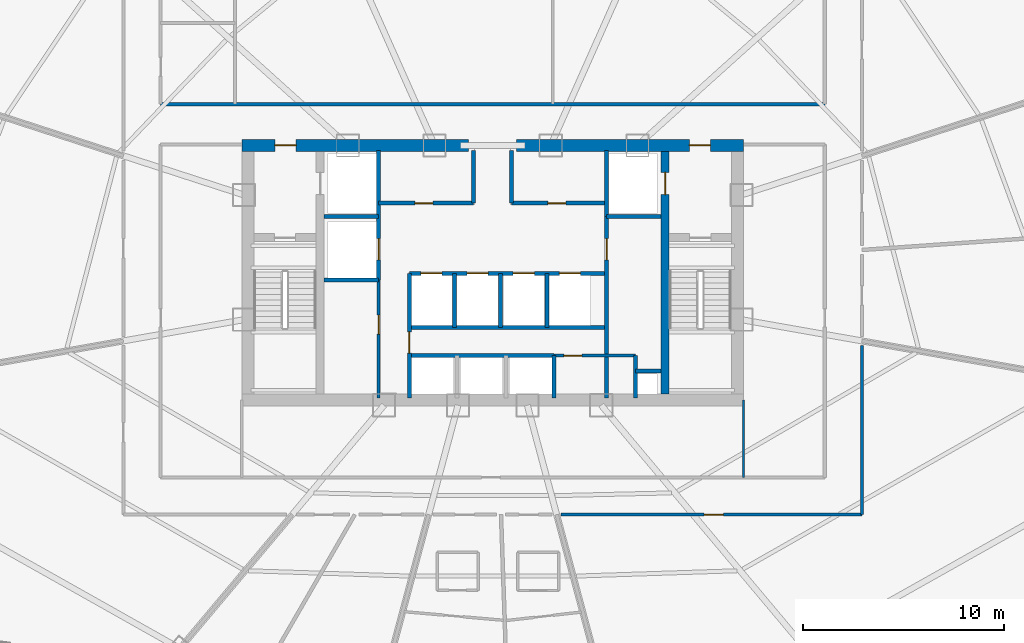
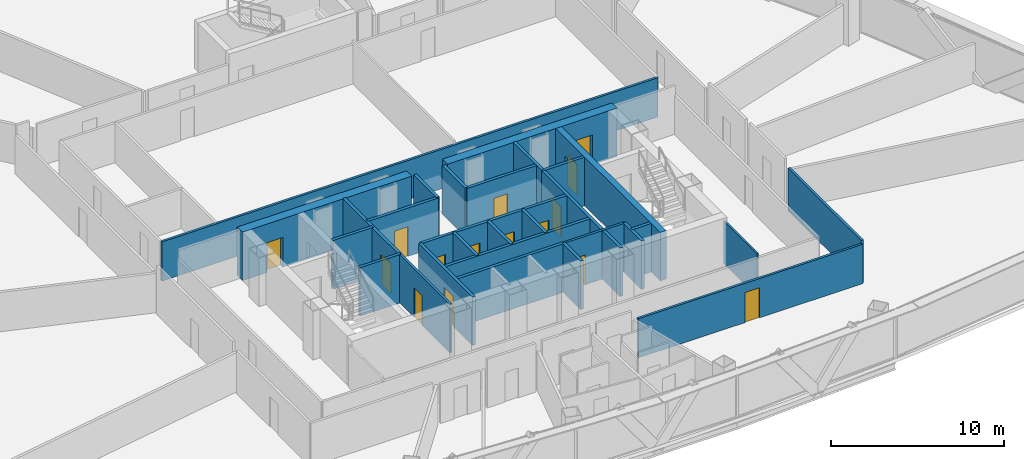
# One storey, part 33 of 39: 29 walls, 15 doors, 15 openings.
"""IFC4 building model written with IfcOpenShell, lengths in metres."""

from ifc_helpers import new_model, si_unit, direction, frame, frame_2d, origin, origin_with_axes, place, context, subcontext, project, spatial, rectangle, extrude, source, transform, mapped, material, layer, layer_set, type_object, element, fill, save


model = new_model("IFC4")

# Units and contexts
model_context = context("Model", 3, precision=1e-05, world=origin(), true_north=direction((0.0, 1.0)))
body_context = subcontext(model_context, "Body", "Model", "MODEL_VIEW")
ifc_project = project(units=[si_unit("LENGTHUNIT", "METRE"), si_unit("AREAUNIT", "SQUARE_METRE"), si_unit("VOLUMEUNIT", "CUBIC_METRE"), si_unit("PLANEANGLEUNIT", "RADIAN"), si_unit("MASSUNIT", "GRAM", prefix="KILO"), si_unit("THERMODYNAMICTEMPERATUREUNIT", "KELVIN"), si_unit("POWERUNIT", "WATT")], contexts=[model_context])

# Site, building, storey
site_placement = place(None, origin())
site = spatial("IfcSite", under=ifc_project, at=site_placement, CompositionType="ELEMENT")
building_placement = place(site_placement, origin())
building = spatial("IfcBuilding", under=site, at=building_placement, Name="Yunzhuo Pagoda Commons", CompositionType="ELEMENT")
storey_placement = place(building_placement, frame((0.0, 0.0, 166.6298828125)))
storey = spatial("IfcBuildingStorey", under=building, at=storey_placement, Name="L42", CompositionType="ELEMENT", Elevation=166.6298828125)

# Wall, opening, door
ifc_material_1 = material(Name="Concrete C60", Category="concrete")
ifc_layer_1 = layer(ifc_material_1, 0.60009765625)
ifc_layer_set_1 = layer_set([ifc_layer_1], Name="Concrete C60")
wall_type_1 = type_object("IfcWallType", Name="W-C02 Mid Core Shear Wall 600", PredefinedType="SHEAR", material=ifc_layer_set_1)
wall_1_placement = place(storey_placement, frame((35.5, 40.199951171875, 0.0), z_axis=(0.0, 0.0, 1.0), x_axis=(1.0, 0.0, 0.0)))
wall_1 = element("IfcWall", 1, at=wall_1_placement, inside=storey, type_object=wall_type_1, Name="L42 core shear wall NW", PredefinedType="SHEAR", context=body_context, shape_type="SweptSolid", body=[
    extrude(rectangle(XDim=11.300048828125, YDim=0.60009765625, at=frame_2d((5.64990234375, 0.0))), origin(), (0.0, 0.0, 1.0), 3.420166015625),
])
opening_1_placement = place(wall_1_placement, frame((1.64990234375, 0.0, 0.0)))
opening_1 = element("IfcOpeningElement", 2, at=opening_1_placement, cuts=wall_1, Name="Opening D-02", PredefinedType="OPENING", context=body_context, shape_type="SweptSolid", body=[
    extrude(rectangle(XDim=1.050048828125, YDim=2.10009765625, at=frame_2d((0.52490234375, 1.050048828125))), frame((0.0, 0.31005859375, 0.0), z_axis=(0.0, -1.0, 0.0), x_axis=(1.0, 0.0, 0.0)), (0.0, 0.0, 1.0), 0.6201171875),
])
ifc_material_2 = material(Name="Galvanized fire-resisting metal leaf")
door_type_1 = type_object("IfcDoorType", Name="D-02 Firefighting Lobby & Refuge Fire Door 1050x2100", OperationType="NOTDEFINED", PredefinedType="DOOR", material=ifc_material_2)
shared_shape_1 = source(origin(), body_context, "Body", "SweptSolid", [
    extrude(rectangle(XDim=1.050048828125, YDim=2.10009765625, at=frame_2d((0.52490234375, 1.050048828125))), frame((0.0, 0.02490234375, 0.0), z_axis=(0.0, -1.0, 0.0), x_axis=(1.0, 0.0, 0.0)), (0.0, 0.0, 1.0), 0.050048828125),
])
door_1_placement = place(opening_1_placement, frame((1.050048828125, 0.0, 0.0), z_axis=(0.0, 0.0, 1.0), x_axis=(-1.0, 0.0, 0.0)))
door_1 = element("IfcDoor", 3, at=door_1_placement, inside=storey, type_object=door_type_1, Name="L42 Firefighting Lobby 1 fire door", OperationType="SINGLE_SWING_LEFT", OverallHeight=2.10009765625, OverallWidth=1.050048828125, PredefinedType="DOOR", context=body_context, shape_type="MappedRepresentation", body=[
    mapped(shared_shape_1, transform((0.0, 0.0, 0.0), scale=1.0)),
])
fill(opening_1, door_1)

wall_2_placement = place(storey_placement, frame((49.199951171875, 40.199951171875, 0.0), z_axis=(0.0, 0.0, 1.0), x_axis=(1.0, 0.0, 0.0)))
wall_2 = element("IfcWall", 4, at=wall_2_placement, inside=storey, type_object=wall_type_1, Name="L42 core shear wall NE", PredefinedType="SHEAR", context=body_context, shape_type="SweptSolid", body=[
    extrude(rectangle(XDim=11.300048828125, YDim=0.60009765625, at=frame_2d((5.64990234375, 0.0))), origin(), (0.0, 0.0, 1.0), 3.420166015625),
])
opening_2_placement = place(wall_2_placement, frame((8.60009765625, 0.0, 0.0)))
opening_2 = element("IfcOpeningElement", 5, at=opening_2_placement, cuts=wall_2, Name="Opening D-02", PredefinedType="OPENING", context=body_context, shape_type="SweptSolid", body=[
    extrude(rectangle(XDim=1.050048828125, YDim=2.10009765625, at=frame_2d((0.52490234375, 1.050048828125))), frame((0.0, 0.31005859375, 0.0), z_axis=(0.0, -1.0, 0.0), x_axis=(1.0, 0.0, 0.0)), (0.0, 0.0, 1.0), 0.6201171875),
])
door_2_placement = place(opening_2_placement, frame((1.050048828125, 0.0, 0.0), z_axis=(0.0, 0.0, 1.0), x_axis=(-1.0, 0.0, 0.0)))
door_2 = element("IfcDoor", 6, at=door_2_placement, inside=storey, type_object=door_type_1, Name="L42 Firefighting Lobby 2 fire door", OperationType="SINGLE_SWING_RIGHT", OverallHeight=2.10009765625, OverallWidth=1.050048828125, PredefinedType="DOOR", context=body_context, shape_type="MappedRepresentation", body=[
    mapped(shared_shape_1, transform((0.0, 0.0, 0.0), scale=1.0)),
])
fill(opening_2, door_2)

ifc_material_3 = material(Name="Gypsum plasterboard on acoustic stud")
ifc_layer_2 = layer(ifc_material_3, 0.155029296875)
ifc_layer_set_2 = layer_set([ifc_layer_2], Name="Gypsum plasterboard on acoustic stud")
wall_type_2 = type_object("IfcWallType", Name="W-COR2 Mid-Zone Rated Corridor Wall 155", PredefinedType="PARTITIONING", material=ifc_layer_set_2)
wall_3_placement = place(storey_placement, frame((42.320068359375, 27.60009765625, 0.0), z_axis=(0.0, 0.0, 1.0), x_axis=(0.0, 1.0, 0.0)))
wall_3 = element("IfcWall", 7, at=wall_3_placement, inside=storey, type_object=wall_type_2, Name="L42 interior wall IW-L42-CSWE", PredefinedType="PARTITIONING", context=body_context, shape_type="SweptSolid", body=[
    extrude(rectangle(XDim=5.89990234375, YDim=0.155029296875, at=frame_2d((2.949951171875, 0.0))), origin(), (0.0, 0.0, 1.0), 3.420166015625),
])
opening_3_placement = place(wall_3_placement, frame((3.199951171875, 0.0, 0.0)))
opening_3 = element("IfcOpeningElement", 8, at=opening_3_placement, cuts=wall_3, Name="Opening D-11", PredefinedType="OPENING", context=body_context, shape_type="SweptSolid", body=[
    extrude(rectangle(XDim=0.93994140625, YDim=2.10009765625, at=frame_2d((0.469970703125, 1.050048828125))), frame((0.0, 0.08740234375, 0.0), z_axis=(0.0, -1.0, 0.0), x_axis=(1.0, 0.0, 0.0)), (0.0, 0.0, 1.0), 0.175048828125),
])
door_type_2 = type_object("IfcDoorType", Name="D-11 Accessible Washroom Fire Door 940x2100", OperationType="NOTDEFINED", PredefinedType="DOOR", material=ifc_material_2)
shared_shape_2 = source(origin(), body_context, "Body", "SweptSolid", [
    extrude(rectangle(XDim=0.93994140625, YDim=2.10009765625, at=frame_2d((0.469970703125, 1.050048828125))), frame((0.0, 0.02490234375, 0.0), z_axis=(0.0, -1.0, 0.0), x_axis=(1.0, 0.0, 0.0)), (0.0, 0.0, 1.0), 0.050048828125),
])
door_3_placement = place(opening_3_placement, origin_with_axes())
door_3 = element("IfcDoor", 9, at=door_3_placement, inside=storey, type_object=door_type_2, Name="L42 core WC door", OperationType="SINGLE_SWING_LEFT", OverallHeight=2.10009765625, OverallWidth=0.93994140625, PredefinedType="DOOR", context=body_context, shape_type="MappedRepresentation", body=[
    mapped(shared_shape_2, transform((0.0, 0.0, 0.0), scale=1.0)),
])
fill(opening_3, door_3)

wall_4_placement = place(storey_placement, frame((51.050048828125, 29.719970703125, 0.0), z_axis=(0.0, 0.0, 1.0), x_axis=(1.0, 0.0, 0.0)))
wall_4 = element("IfcWall", 10, at=wall_4_placement, inside=storey, type_object=wall_type_2, Name="L42 interior wall IW-L42-CSES", PredefinedType="PARTITIONING", context=body_context, shape_type="SweptSolid", body=[
    extrude(rectangle(XDim=4.070068359375, YDim=0.155029296875, at=frame_2d((2.03515625, 0.0))), origin(), (0.0, 0.0, 1.0), 3.420166015625),
])
opening_4_placement = place(wall_4_placement, frame((0.5, 0.0, 0.0)))
opening_4 = element("IfcOpeningElement", 11, at=opening_4_placement, cuts=wall_4, Name="Opening D-03", PredefinedType="OPENING", context=body_context, shape_type="SweptSolid", body=[
    extrude(rectangle(XDim=0.89990234375, YDim=2.10009765625, at=frame_2d((0.449951171875, 1.050048828125))), frame((0.0, 0.08740234375, 0.0), z_axis=(0.0, -1.0, 0.0), x_axis=(1.0, 0.0, 0.0)), (0.0, 0.0, 1.0), 0.175048828125),
])
door_type_3 = type_object("IfcDoorType", Name="D-03 Core Service Fire Door 900x2100", OperationType="NOTDEFINED", PredefinedType="DOOR", material=ifc_material_2)
shared_shape_3 = source(origin(), body_context, "Body", "SweptSolid", [
    extrude(rectangle(XDim=0.89990234375, YDim=2.10009765625, at=frame_2d((0.449951171875, 1.050048828125))), frame((0.0, 0.02490234375, 0.0), z_axis=(0.0, -1.0, 0.0), x_axis=(1.0, 0.0, 0.0)), (0.0, 0.0, 1.0), 0.050048828125),
])
door_4_placement = place(opening_4_placement, origin_with_axes())
door_4 = element("IfcDoor", 12, at=door_4_placement, inside=storey, type_object=door_type_3, Name="L42 cleaner store door", OperationType="SINGLE_SWING_LEFT", OverallHeight=2.10009765625, OverallWidth=0.89990234375, PredefinedType="DOOR", context=body_context, shape_type="MappedRepresentation", body=[
    mapped(shared_shape_3, transform((0.0, 0.0, 0.0), scale=1.0)),
])
fill(opening_4, door_4)

# Walls
wall_5_placement = place(storey_placement, frame((31.449951171875, 42.25, 0.0), z_axis=(0.0, 0.0, 1.0), x_axis=(1.0, 0.0, 0.0)))
element("IfcWall", 13, at=wall_5_placement, inside=storey, type_object=wall_type_2, Name="L42 interior wall IW-L42-MCNS", PredefinedType="PARTITIONING", context=body_context, shape_type="SweptSolid", body=[
    extrude(rectangle(XDim=33.10009765625, YDim=0.155029296875, at=frame_2d((16.550048828125, 0.0))), origin(), (0.0, 0.0, 1.0), 2.77001953125),
])
wall_6_placement = place(storey_placement, frame((66.39990234375, 30.232177734375, 0.0), z_axis=(0.0, 0.0, 1.0), x_axis=(0.0, -1.0, 0.0)))
element("IfcWall", 14, at=wall_6_placement, inside=storey, type_object=wall_type_2, Name="L42 interior wall IW-L42-CWL14", PredefinedType="PARTITIONING", context=body_context, shape_type="SweptSolid", body=[
    extrude(rectangle(XDim=8.43212890625, YDim=0.155029296875, at=frame_2d((4.216064453125, 0.0))), origin(), (0.0, 0.0, 1.0), 3.02001953125),
])

# Wall, opening, door
wall_7_placement = place(storey_placement, frame((66.39990234375, 21.800048828125, 0.0), z_axis=(0.0, 0.0, 1.0), x_axis=(-1.0, 0.0, 0.0)))
wall_7 = element("IfcWall", 15, at=wall_7_placement, inside=storey, type_object=wall_type_2, Name="L42 interior wall IW-L42-CWL15", PredefinedType="PARTITIONING", context=body_context, shape_type="SweptSolid", body=[
    extrude(rectangle(XDim=14.9833984375, YDim=0.155029296875, at=frame_2d((7.49169921875, 0.0))), origin(), (0.0, 0.0, 1.0), 2.77001953125),
])
opening_5_placement = place(wall_7_placement, frame((6.900634765625, 0.0, 0.0)))
opening_5 = element("IfcOpeningElement", 16, at=opening_5_placement, cuts=wall_7, Name="Opening D-07", PredefinedType="OPENING", context=body_context, shape_type="SweptSolid", body=[
    extrude(rectangle(XDim=0.9599609375, YDim=2.1201171875, at=frame_2d((0.47998046875, 1.06005859375))), frame((0.0, 0.08740234375, 0.0), z_axis=(0.0, -1.0, 0.0), x_axis=(1.0, 0.0, 0.0)), (0.0, 0.0, 1.0), 0.175048828125),
])
door_type_4 = type_object("IfcDoorType", Name="D-07 Mid-Zone Suite Entrance Fire Door 960x2120", OperationType="NOTDEFINED", PredefinedType="DOOR", material=ifc_material_2)
shared_shape_4 = source(origin(), body_context, "Body", "SweptSolid", [
    extrude(rectangle(XDim=0.9599609375, YDim=2.1201171875, at=frame_2d((0.47998046875, 1.06005859375))), frame((0.0, 0.02490234375, 0.0), z_axis=(0.0, -1.0, 0.0), x_axis=(1.0, 0.0, 0.0)), (0.0, 0.0, 1.0), 0.050048828125),
])
door_5_placement = place(opening_5_placement, origin_with_axes())
door_5 = element("IfcDoor", 17, at=door_5_placement, inside=storey, type_object=door_type_4, Name="L42 Resident Co-Living Commons Hall door", OperationType="SINGLE_SWING_LEFT", OverallHeight=2.1201171875, OverallWidth=0.9599609375, PredefinedType="DOOR", context=body_context, shape_type="MappedRepresentation", body=[
    mapped(shared_shape_4, transform((0.0, 0.0, 0.0), scale=1.0)),
])
fill(opening_5, door_5)

# Wall
ifc_layer_3 = layer(ifc_material_3, 0.1201171875)
ifc_layer_set_3 = layer_set([ifc_layer_3], Name="Gypsum plasterboard on acoustic stud")
wall_type_3 = type_object("IfcWallType", Name="W-PRT1 Suite & Bathroom Partition 120", PredefinedType="PARTITIONING", material=ifc_layer_set_3)
wall_8_placement = place(storey_placement, frame((60.5, 23.64990234375, 0.0), z_axis=(0.0, 0.0, 1.0), x_axis=(0.0, 1.0, 0.0)))
element("IfcWall", 18, at=wall_8_placement, inside=storey, type_object=wall_type_3, Name="L42 interior wall IW-L42-SFLD2", PredefinedType="PARTITIONING", context=body_context, shape_type="SweptSolid", body=[
    extrude(rectangle(XDim=3.85009765625, YDim=0.1201171875, at=frame_2d((1.925048828125, 0.0))), origin(), (0.0, 0.0, 1.0), 3.02001953125),
])

# Wall, opening, door
ifc_layer_4 = layer(ifc_material_1, 0.39990234375)
ifc_layer_set_4 = layer_set([ifc_layer_4], Name="Concrete C60")
wall_type_4 = type_object("IfcWallType", Name="W-S01 Internal Core Shear Web 400", PredefinedType="SHEAR", material=ifc_layer_set_4)
wall_9_placement = place(storey_placement, frame((56.60009765625, 27.800048828125, 0.0), z_axis=(0.0, 0.0, 1.0), x_axis=(0.0, 1.0, 0.0)))
wall_9 = element("IfcWall", 19, at=wall_9_placement, inside=storey, type_object=wall_type_4, Name="L42 core shear wall WEBE", PredefinedType="SHEAR", context=body_context, shape_type="SweptSolid", body=[
    extrude(rectangle(XDim=12.099853515625, YDim=0.39990234375, at=frame_2d((6.0498046875, 0.0))), origin(), (0.0, 0.0, 1.0), 3.420166015625),
])
opening_6_placement = place(wall_9_placement, frame((9.949951171875, 0.0, 0.0)))
opening_6 = element("IfcOpeningElement", 20, at=opening_6_placement, cuts=wall_9, Name="Opening LD-01", PredefinedType="OPENING", context=body_context, shape_type="SweptSolid", body=[
    extrude(rectangle(XDim=1.10009765625, YDim=2.10009765625, at=frame_2d((0.550048828125, 1.050048828125))), frame((0.0, 0.2099609375, 0.0), z_axis=(0.0, -1.0, 0.0), x_axis=(1.0, 0.0, 0.0)), (0.0, 0.0, 1.0), 0.419921875),
])
door_type_5 = type_object("IfcDoorType", Name="LD-01 Firefighting Lift Landing Door 1100x2100", OperationType="DOUBLE_DOOR_SLIDING", PredefinedType="DOOR", material=ifc_material_2)
shared_shape_5 = source(origin(), body_context, "Body", "SweptSolid", [
    extrude(rectangle(XDim=1.10009765625, YDim=2.10009765625, at=frame_2d((0.550048828125, 1.050048828125))), frame((0.0, 0.02490234375, 0.0), z_axis=(0.0, -1.0, 0.0), x_axis=(1.0, 0.0, 0.0)), (0.0, 0.0, 1.0), 0.050048828125),
])
door_6_placement = place(opening_6_placement, origin_with_axes())
door_6 = element("IfcDoor", 21, at=door_6_placement, inside=storey, type_object=door_type_5, Name="L42 Firefighting lift FL-2 landing door", OperationType="DOUBLE_DOOR_SLIDING", OverallHeight=2.10009765625, OverallWidth=1.10009765625, PredefinedType="DOOR", context=body_context, shape_type="MappedRepresentation", body=[
    mapped(shared_shape_5, transform((0.0, 0.0, 0.0), scale=1.0)),
])
fill(opening_6, door_6)

ifc_material_4 = material(Name="Concrete C40", Category="concrete")
ifc_layer_5 = layer(ifc_material_4, 0.199951171875)
ifc_layer_set_5 = layer_set([ifc_layer_5], Name="Concrete C40")
wall_type_5 = type_object("IfcWallType", Name="W-SHF Shaft & Stair Enclosure Wall 200", PredefinedType="SOLIDWALL", material=ifc_layer_set_5)
wall_10_placement = place(storey_placement, frame((42.320068359375, 33.5, 0.0), z_axis=(0.0, 0.0, 1.0), x_axis=(0.0, 1.0, 0.0)))
wall_10 = element("IfcWall", 22, at=wall_10_placement, inside=storey, type_object=wall_type_5, Name="L42 interior wall IW-L42-FL1E", PredefinedType="SOLIDWALL", context=body_context, shape_type="SweptSolid", body=[
    extrude(rectangle(XDim=6.449951171875, YDim=0.199951171875, at=frame_2d((3.22509765625, 0.0))), origin(), (0.0, 0.0, 1.0), 3.420166015625),
])
opening_7_placement = place(wall_10_placement, frame((1.0, 0.0, 0.0)))
opening_7 = element("IfcOpeningElement", 23, at=opening_7_placement, cuts=wall_10, Name="Opening LD-02", PredefinedType="OPENING", context=body_context, shape_type="SweptSolid", body=[
    extrude(rectangle(XDim=1.050048828125, YDim=2.10009765625, at=frame_2d((0.52490234375, 1.050048828125))), frame((0.0, 0.10986328125, 0.0), z_axis=(0.0, -1.0, 0.0), x_axis=(1.0, 0.0, 0.0)), (0.0, 0.0, 1.0), 0.219970703125),
])
door_type_6 = type_object("IfcDoorType", Name="LD-02 Passenger Lift Landing Door 1050x2100", OperationType="DOUBLE_DOOR_SLIDING", PredefinedType="DOOR", material=ifc_material_2)
door_7_placement = place(opening_7_placement, origin_with_axes())
door_7 = element("IfcDoor", 24, at=door_7_placement, inside=storey, type_object=door_type_6, Name="L42 Service lift SL-1 landing door", OperationType="DOUBLE_DOOR_SLIDING", OverallHeight=2.10009765625, OverallWidth=1.050048828125, PredefinedType="DOOR", context=body_context, shape_type="MappedRepresentation", body=[
    mapped(shared_shape_1, transform((0.0, 0.0, 0.0), scale=1.0)),
])
fill(opening_7, door_7)

# Walls
for number, where, z_axis, x_axis, name in (
    (25, (39.60009765625, 36.64990234375, 0.0), (0.0, 0.0, 1.0), (1.0, 0.0, 0.0), "L42 interior wall IW-L42-FL1S"),
    (26, (39.60009765625, 33.5, 0.0), (0.0, 0.0, 1.0), (1.0, 0.0, 0.0), "L42 interior wall IW-L42-SL1S"),
):
    element("IfcWall", number, at=place(storey_placement, frame(where, z_axis=z_axis, x_axis=x_axis)), inside=storey, type_object=wall_type_5, Name=name, PredefinedType="SOLIDWALL", context=body_context, shape_type="SweptSolid", body=[
        extrude(rectangle(XDim=2.719970703125, YDim=0.199951171875, at=frame_2d((1.35986328125, 0.0))), origin(), (0.0, 0.0, 1.0), 3.420166015625),
    ])
wall_11_placement = place(storey_placement, frame((53.679931640625, 36.64990234375, 0.0), z_axis=(0.0, 0.0, 1.0), x_axis=(0.0, 1.0, 0.0)))
element("IfcWall", 27, at=wall_11_placement, inside=storey, type_object=wall_type_5, Name="L42 interior wall IW-L42-FL2W", PredefinedType="SOLIDWALL", context=body_context, shape_type="SweptSolid", body=[
    extrude(rectangle(XDim=3.300048828125, YDim=0.199951171875, at=frame_2d((1.64990234375, 0.0))), origin(), (0.0, 0.0, 1.0), 3.420166015625),
])
wall_12_placement = place(storey_placement, frame((53.679931640625, 36.64990234375, 0.0), z_axis=(0.0, 0.0, 1.0), x_axis=(1.0, 0.0, 0.0)))
element("IfcWall", 28, at=wall_12_placement, inside=storey, type_object=wall_type_5, Name="L42 interior wall IW-L42-FL2S", PredefinedType="SOLIDWALL", context=body_context, shape_type="SweptSolid", body=[
    extrude(rectangle(XDim=2.719970703125, YDim=0.199951171875, at=frame_2d((1.35986328125, 0.0))), origin(), (0.0, 0.0, 1.0), 3.420166015625),
])

# Wall, opening, door
wall_13_placement = place(storey_placement, frame((42.320068359375, 37.320068359375, 0.0), z_axis=(0.0, 0.0, 1.0), x_axis=(1.0, 0.0, 0.0)))
wall_13 = element("IfcWall", 29, at=wall_13_placement, inside=storey, type_object=wall_type_5, Name="L42 interior wall IW-L42-LBNW", PredefinedType="SOLIDWALL", context=body_context, shape_type="SweptSolid", body=[
    extrude(rectangle(XDim=4.72998046875, YDim=0.199951171875, at=frame_2d((2.364990234375, 0.0))), origin(), (0.0, 0.0, 1.0), 3.420166015625),
])
opening_8_placement = place(wall_13_placement, frame((1.800048828125, 0.0, 0.0)))
opening_8 = element("IfcOpeningElement", 30, at=opening_8_placement, cuts=wall_13, Name="Opening D-03", PredefinedType="OPENING", context=body_context, shape_type="SweptSolid", body=[
    extrude(rectangle(XDim=0.89990234375, YDim=2.10009765625, at=frame_2d((0.449951171875, 1.050048828125))), frame((0.0, 0.10986328125, 0.0), z_axis=(0.0, -1.0, 0.0), x_axis=(1.0, 0.0, 0.0)), (0.0, 0.0, 1.0), 0.219970703125),
])
door_8_placement = place(opening_8_placement, frame((0.89990234375, 0.0, 0.0), z_axis=(0.0, 0.0, 1.0), x_axis=(-1.0, 0.0, 0.0)))
door_8 = element("IfcDoor", 31, at=door_8_placement, inside=storey, type_object=door_type_3, Name="L42 core west store door", OperationType="SINGLE_SWING_LEFT", OverallHeight=2.10009765625, OverallWidth=0.89990234375, PredefinedType="DOOR", context=body_context, shape_type="MappedRepresentation", body=[
    mapped(shared_shape_3, transform((0.0, 0.0, 0.0), scale=1.0)),
])
fill(opening_8, door_8)

wall_14_placement = place(storey_placement, frame((48.949951171875, 37.320068359375, 0.0), z_axis=(0.0, 0.0, 1.0), x_axis=(1.0, 0.0, 0.0)))
wall_14 = element("IfcWall", 32, at=wall_14_placement, inside=storey, type_object=wall_type_5, Name="L42 interior wall IW-L42-LBNE", PredefinedType="SOLIDWALL", context=body_context, shape_type="SweptSolid", body=[
    extrude(rectangle(XDim=4.72998046875, YDim=0.199951171875, at=frame_2d((2.364990234375, 0.0))), origin(), (0.0, 0.0, 1.0), 3.420166015625),
])
opening_9_placement = place(wall_14_placement, frame((1.800048828125, 0.0, 0.0)))
opening_9 = element("IfcOpeningElement", 33, at=opening_9_placement, cuts=wall_14, Name="Opening D-03", PredefinedType="OPENING", context=body_context, shape_type="SweptSolid", body=[
    extrude(rectangle(XDim=0.89990234375, YDim=2.10009765625, at=frame_2d((0.449951171875, 1.050048828125))), frame((0.0, 0.10986328125, 0.0), z_axis=(0.0, -1.0, 0.0), x_axis=(1.0, 0.0, 0.0)), (0.0, 0.0, 1.0), 0.219970703125),
])
door_9_placement = place(opening_9_placement, frame((0.89990234375, 0.0, 0.0), z_axis=(0.0, 0.0, 1.0), x_axis=(-1.0, 0.0, 0.0)))
door_9 = element("IfcDoor", 34, at=door_9_placement, inside=storey, type_object=door_type_3, Name="L42 core east store door", OperationType="SINGLE_SWING_RIGHT", OverallHeight=2.10009765625, OverallWidth=0.89990234375, PredefinedType="DOOR", context=body_context, shape_type="MappedRepresentation", body=[
    mapped(shared_shape_3, transform((0.0, 0.0, 0.0), scale=1.0)),
])
fill(opening_9, door_9)

# Walls
for number, where, z_axis, x_axis, name in (
    (35, (47.050048828125, 37.320068359375, 0.0), (0.0, 0.0, 1.0), (0.0, 1.0, 0.0), "L42 interior wall IW-L42-THRW"),
    (36, (48.949951171875, 37.320068359375, 0.0), (0.0, 0.0, 1.0), (0.0, 1.0, 0.0), "L42 interior wall IW-L42-THRE"),
):
    element("IfcWall", number, at=place(storey_placement, frame(where, z_axis=z_axis, x_axis=x_axis)), inside=storey, type_object=wall_type_5, Name=name, PredefinedType="SOLIDWALL", context=body_context, shape_type="SweptSolid", body=[
        extrude(rectangle(XDim=2.6298828125, YDim=0.199951171875, at=frame_2d((1.31494140625, 0.0))), origin(), (0.0, 0.0, 1.0), 3.420166015625),
    ])

# Wall, openings, doors
wall_15_placement = place(storey_placement, frame((43.85009765625, 33.820068359375, 0.0), z_axis=(0.0, 0.0, 1.0), x_axis=(1.0, 0.0, 0.0)))
wall_15 = element("IfcWall", 37, at=wall_15_placement, inside=storey, type_object=wall_type_5, Name="L42 interior wall IW-L42-MLBS", PredefinedType="SOLIDWALL", context=body_context, shape_type="SweptSolid", body=[
    extrude(rectangle(XDim=9.829833984375, YDim=0.199951171875, at=frame_2d((4.9150390625, 0.0))), origin(), (0.0, 0.0, 1.0), 3.420166015625),
])
opening_10_placement = place(wall_15_placement, frame((0.574951171875, 0.0, 0.0)))
opening_10 = element("IfcOpeningElement", 38, at=opening_10_placement, cuts=wall_15, Name="Opening LD-02", PredefinedType="OPENING", context=body_context, shape_type="SweptSolid", body=[
    extrude(rectangle(XDim=1.050048828125, YDim=2.10009765625, at=frame_2d((0.52490234375, 1.050048828125))), frame((0.0, 0.10986328125, 0.0), z_axis=(0.0, -1.0, 0.0), x_axis=(1.0, 0.0, 0.0)), (0.0, 0.0, 1.0), 0.219970703125),
])
opening_11_placement = place(wall_15_placement, frame((2.875, 0.0, 0.0)))
opening_11 = element("IfcOpeningElement", 39, at=opening_11_placement, cuts=wall_15, Name="Opening LD-02", PredefinedType="OPENING", context=body_context, shape_type="SweptSolid", body=[
    extrude(rectangle(XDim=1.050048828125, YDim=2.10009765625, at=frame_2d((0.52490234375, 1.050048828125))), frame((0.0, 0.10986328125, 0.0), z_axis=(0.0, -1.0, 0.0), x_axis=(1.0, 0.0, 0.0)), (0.0, 0.0, 1.0), 0.219970703125),
])
opening_12_placement = place(wall_15_placement, frame((5.175048828125, 0.0, 0.0)))
opening_12 = element("IfcOpeningElement", 40, at=opening_12_placement, cuts=wall_15, Name="Opening LD-02", PredefinedType="OPENING", context=body_context, shape_type="SweptSolid", body=[
    extrude(rectangle(XDim=1.050048828125, YDim=2.10009765625, at=frame_2d((0.52490234375, 1.050048828125))), frame((0.0, 0.10986328125, 0.0), z_axis=(0.0, -1.0, 0.0), x_axis=(1.0, 0.0, 0.0)), (0.0, 0.0, 1.0), 0.219970703125),
])
opening_13_placement = place(wall_15_placement, frame((7.47509765625, 0.0, 0.0)))
opening_13 = element("IfcOpeningElement", 41, at=opening_13_placement, cuts=wall_15, Name="Opening LD-02", PredefinedType="OPENING", context=body_context, shape_type="SweptSolid", body=[
    extrude(rectangle(XDim=1.050048828125, YDim=2.10009765625, at=frame_2d((0.52490234375, 1.050048828125))), frame((0.0, 0.10986328125, 0.0), z_axis=(0.0, -1.0, 0.0), x_axis=(1.0, 0.0, 0.0)), (0.0, 0.0, 1.0), 0.219970703125),
])
door_10_placement = place(opening_10_placement, origin_with_axes())
door_10 = element("IfcDoor", 42, at=door_10_placement, inside=storey, type_object=door_type_6, Name="L42 Passenger lift PL-M1 landing door", OperationType="DOUBLE_DOOR_SLIDING", OverallHeight=2.10009765625, OverallWidth=1.050048828125, PredefinedType="DOOR", context=body_context, shape_type="MappedRepresentation", body=[
    mapped(shared_shape_1, transform((0.0, 0.0, 0.0), scale=1.0)),
])
fill(opening_10, door_10)
door_11_placement = place(opening_11_placement, origin_with_axes())
door_11 = element("IfcDoor", 43, at=door_11_placement, inside=storey, type_object=door_type_6, Name="L42 Passenger lift PL-M2 landing door", OperationType="DOUBLE_DOOR_SLIDING", OverallHeight=2.10009765625, OverallWidth=1.050048828125, PredefinedType="DOOR", context=body_context, shape_type="MappedRepresentation", body=[
    mapped(shared_shape_1, transform((0.0, 0.0, 0.0), scale=1.0)),
])
fill(opening_11, door_11)
door_12_placement = place(opening_12_placement, origin_with_axes())
door_12 = element("IfcDoor", 44, at=door_12_placement, inside=storey, type_object=door_type_6, Name="L42 Passenger lift PL-M3 landing door", OperationType="DOUBLE_DOOR_SLIDING", OverallHeight=2.10009765625, OverallWidth=1.050048828125, PredefinedType="DOOR", context=body_context, shape_type="MappedRepresentation", body=[
    mapped(shared_shape_1, transform((0.0, 0.0, 0.0), scale=1.0)),
])
fill(opening_12, door_12)
door_13_placement = place(opening_13_placement, origin_with_axes())
door_13 = element("IfcDoor", 45, at=door_13_placement, inside=storey, type_object=door_type_6, Name="L42 Passenger lift PL-M4 landing door", OperationType="DOUBLE_DOOR_SLIDING", OverallHeight=2.10009765625, OverallWidth=1.050048828125, PredefinedType="DOOR", context=body_context, shape_type="MappedRepresentation", body=[
    mapped(shared_shape_1, transform((0.0, 0.0, 0.0), scale=1.0)),
])
fill(opening_13, door_13)

# Wall, opening, door
wall_16_placement = place(storey_placement, frame((43.85009765625, 27.60009765625, 0.0), z_axis=(0.0, 0.0, 1.0), x_axis=(0.0, 1.0, 0.0)))
wall_16 = element("IfcWall", 46, at=wall_16_placement, inside=storey, type_object=wall_type_5, Name="L42 interior wall IW-L42-PLMW", PredefinedType="SOLIDWALL", context=body_context, shape_type="SweptSolid", body=[
    extrude(rectangle(XDim=6.219970703125, YDim=0.199951171875, at=frame_2d((3.10986328125, 0.0))), origin(), (0.0, 0.0, 1.0), 3.420166015625),
])
opening_14_placement = place(wall_16_placement, frame((2.25, 0.0, 0.0)))
opening_14 = element("IfcOpeningElement", 47, at=opening_14_placement, cuts=wall_16, Name="Opening D-02", PredefinedType="OPENING", context=body_context, shape_type="SweptSolid", body=[
    extrude(rectangle(XDim=1.050048828125, YDim=2.10009765625, at=frame_2d((0.52490234375, 1.050048828125))), frame((0.0, 0.10986328125, 0.0), z_axis=(0.0, -1.0, 0.0), x_axis=(1.0, 0.0, 0.0)), (0.0, 0.0, 1.0), 0.219970703125),
])
door_14_placement = place(opening_14_placement, frame((1.050048828125, 0.0, 0.0), z_axis=(0.0, 0.0, 1.0), x_axis=(-1.0, 0.0, 0.0)))
door_14 = element("IfcDoor", 48, at=door_14_placement, inside=storey, type_object=door_type_1, Name="L42 High-bank hall west door", OperationType="SINGLE_SWING_LEFT", OverallHeight=2.10009765625, OverallWidth=1.050048828125, PredefinedType="DOOR", context=body_context, shape_type="MappedRepresentation", body=[
    mapped(shared_shape_1, transform((0.0, 0.0, 0.0), scale=1.0)),
])
fill(opening_14, door_14)

wall_17_placement = place(storey_placement, frame((53.679931640625, 27.60009765625, 0.0), z_axis=(0.0, 0.0, 1.0), x_axis=(0.0, 1.0, 0.0)))
wall_17 = element("IfcWall", 49, at=wall_17_placement, inside=storey, type_object=wall_type_5, Name="L42 interior wall IW-L42-PLME", PredefinedType="SOLIDWALL", context=body_context, shape_type="SweptSolid", body=[
    extrude(rectangle(XDim=9.0498046875, YDim=0.199951171875, at=frame_2d((4.52490234375, 0.0))), origin(), (0.0, 0.0, 1.0), 3.420166015625),
])
opening_15_placement = place(wall_17_placement, frame((6.89990234375, 0.0, 0.0)))
opening_15 = element("IfcOpeningElement", 50, at=opening_15_placement, cuts=wall_17, Name="Opening D-02", PredefinedType="OPENING", context=body_context, shape_type="SweptSolid", body=[
    extrude(rectangle(XDim=1.050048828125, YDim=2.10009765625, at=frame_2d((0.52490234375, 1.050048828125))), frame((0.0, 0.10986328125, 0.0), z_axis=(0.0, -1.0, 0.0), x_axis=(1.0, 0.0, 0.0)), (0.0, 0.0, 1.0), 0.219970703125),
])
door_15_placement = place(opening_15_placement, origin_with_axes())
door_15 = element("IfcDoor", 51, at=door_15_placement, inside=storey, type_object=door_type_1, Name="L42 High-bank lift hall door", OperationType="SINGLE_SWING_RIGHT", OverallHeight=2.10009765625, OverallWidth=1.050048828125, PredefinedType="DOOR", context=body_context, shape_type="MappedRepresentation", body=[
    mapped(shared_shape_1, transform((0.0, 0.0, 0.0), scale=1.0)),
])
fill(opening_15, door_15)

# Walls
for number, where, z_axis, x_axis, name in (
    (52, (46.10009765625, 31.1201171875, 0.0), (0.0, 0.0, 1.0), (0.0, 1.0, 0.0), "L42 interior wall IW-L42-PLMD1"),
    (53, (48.39990234375, 31.1201171875, 0.0), (0.0, 0.0, 1.0), (0.0, 1.0, 0.0), "L42 interior wall IW-L42-PLMD2"),
    (54, (50.699951171875, 31.1201171875, 0.0), (0.0, 0.0, 1.0), (0.0, 1.0, 0.0), "L42 interior wall IW-L42-PLMD3"),
):
    element("IfcWall", number, at=place(storey_placement, frame(where, z_axis=z_axis, x_axis=x_axis)), inside=storey, type_object=wall_type_5, Name=name, PredefinedType="SOLIDWALL", context=body_context, shape_type="SweptSolid", body=[
        extrude(rectangle(XDim=2.699951171875, YDim=0.199951171875, at=frame_2d((1.35009765625, 0.0))), origin(), (0.0, 0.0, 1.0), 3.420166015625),
    ])
wall_18_placement = place(storey_placement, frame((43.85009765625, 29.719970703125, 0.0), z_axis=(0.0, 0.0, 1.0), x_axis=(1.0, 0.0, 0.0)))
element("IfcWall", 55, at=wall_18_placement, inside=storey, type_object=wall_type_5, Name="L42 interior wall IW-L42-PLHN", PredefinedType="SOLIDWALL", context=body_context, shape_type="SweptSolid", body=[
    extrude(rectangle(XDim=7.199951171875, YDim=0.199951171875, at=frame_2d((3.60009765625, 0.0))), origin(), (0.0, 0.0, 1.0), 3.420166015625),
])
wall_19_placement = place(storey_placement, frame((51.050048828125, 27.60009765625, 0.0), z_axis=(0.0, 0.0, 1.0), x_axis=(0.0, 1.0, 0.0)))
element("IfcWall", 56, at=wall_19_placement, inside=storey, type_object=wall_type_5, Name="L42 interior wall IW-L42-PLHE", PredefinedType="SOLIDWALL", context=body_context, shape_type="SweptSolid", body=[
    extrude(rectangle(XDim=2.119873046875, YDim=0.199951171875, at=frame_2d((1.06005859375, 0.0))), origin(), (0.0, 0.0, 1.0), 3.420166015625),
])
wall_20_placement = place(storey_placement, frame((43.85009765625, 31.1201171875, 0.0), z_axis=(0.0, 0.0, 1.0), x_axis=(1.0, 0.0, 0.0)))
element("IfcWall", 57, at=wall_20_placement, inside=storey, type_object=wall_type_5, Name="L42 interior wall IW-L42-PLMS2", PredefinedType="SOLIDWALL", context=body_context, shape_type="SweptSolid", body=[
    extrude(rectangle(XDim=9.829833984375, YDim=0.199951171875, at=frame_2d((4.9150390625, 0.0))), origin(), (0.0, 0.0, 1.0), 3.420166015625),
])
wall_21_placement = place(storey_placement, frame((55.1201171875, 27.60009765625, 0.0), z_axis=(0.0, 0.0, 1.0), x_axis=(0.0, 1.0, 0.0)))
element("IfcWall", 58, at=wall_21_placement, inside=storey, type_object=wall_type_5, Name="L42 interior wall IW-L42-RSHFW", PredefinedType="SOLIDWALL", context=body_context, shape_type="SweptSolid", body=[
    extrude(rectangle(XDim=2.119873046875, YDim=0.199951171875, at=frame_2d((1.06005859375, 0.0))), origin(), (0.0, 0.0, 1.0), 3.420166015625),
])
wall_22_placement = place(storey_placement, frame((55.1201171875, 28.949951171875, 0.0), z_axis=(0.0, 0.0, 1.0), x_axis=(1.0, 0.0, 0.0)))
element("IfcWall", 59, at=wall_22_placement, inside=storey, type_object=wall_type_5, Name="L42 interior wall IW-L42-RSHFN", PredefinedType="SOLIDWALL", context=body_context, shape_type="SweptSolid", body=[
    extrude(rectangle(XDim=1.27978515625, YDim=0.199951171875, at=frame_2d((0.639892578125, 0.0))), origin(), (0.0, 0.0, 1.0), 3.420166015625),
])

save(model, "model.ifc")
